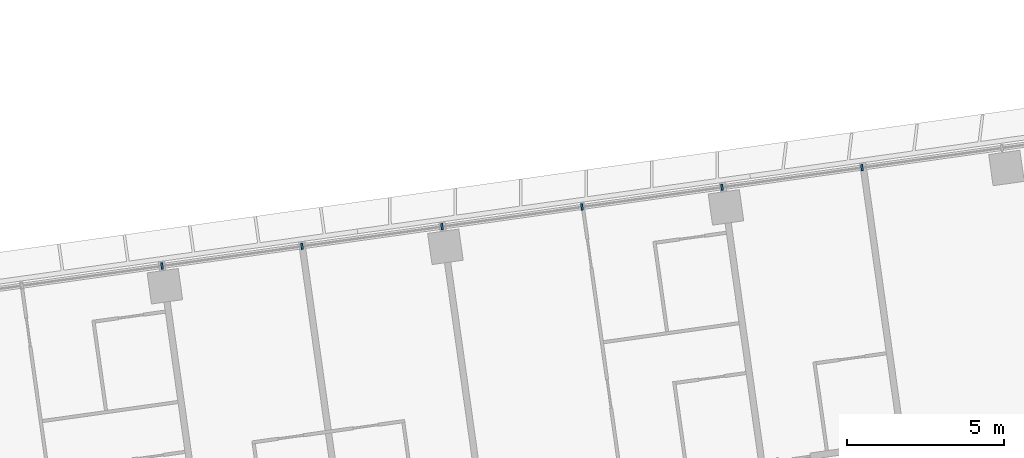
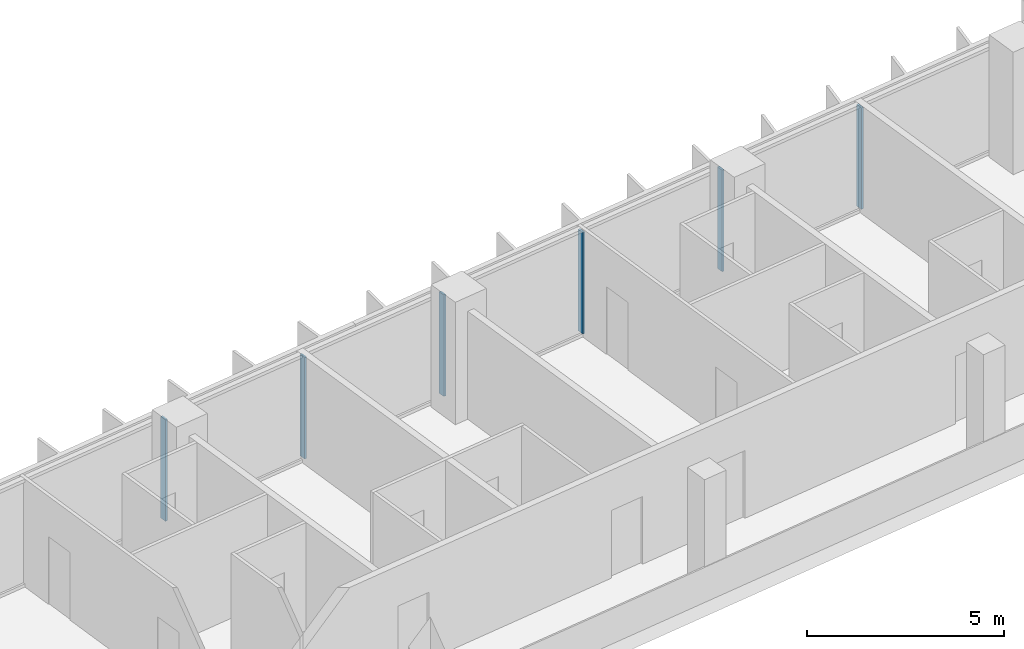
# One storey, part 10 of 25: 6 members, 1 element without a shape of its own.
"""IFC4 building model written with IfcOpenShell, lengths in metres."""

from ifc_helpers import new_model, si_unit, direction, frame, origin, origin_2d, place, context, subcontext, project, spatial, rectangle, extrude, material, material_profile, profile_set, type_object, element, aggregate, save


model = new_model("IFC4")

# Units and contexts
model_context = context("Model", 3, precision=1e-05, world=origin(), true_north=direction((0.0, 1.0)))
body_context = subcontext(model_context, "Body", "Model", "MODEL_VIEW")
ifc_project = project(units=[si_unit("LENGTHUNIT", "METRE"), si_unit("AREAUNIT", "SQUARE_METRE"), si_unit("VOLUMEUNIT", "CUBIC_METRE"), si_unit("PLANEANGLEUNIT", "RADIAN"), si_unit("MASSUNIT", "GRAM", prefix="KILO")], contexts=[model_context])

# Site, building, storey
site_placement = place(None, origin())
site = spatial("IfcSite", under=ifc_project, at=site_placement, CompositionType="ELEMENT")
building_placement = place(site_placement, origin())
building = spatial("IfcBuilding", under=site, at=building_placement, Name="Mirante Cascada Hotel Towers", CompositionType="ELEMENT")
storey_placement = place(building_placement, frame((0.0, 0.0, 62.3)))
storey = spatial("IfcBuildingStorey", under=building, at=storey_placement, Name="L12", CompositionType="ELEMENT", Elevation=62.3)

# Curtain wall, members
ifc_material_1 = material(Name="Aluminium mullion and transom frame with clear laminated glass", Category="aluminium")
curtain_wall_type = type_object("IfcCurtainWallType", Name="Ribbon curtain wall ECW1", PredefinedType="NOTDEFINED", material=ifc_material_1)
curtain_wall_placement = place(storey_placement, origin())
curtain_wall = element("IfcCurtainWall", 1, at=curtain_wall_placement, inside=storey, type_object=curtain_wall_type, Name="Front ribbon wall T2 L12", PredefinedType="NOTDEFINED")
ifc_material_2 = material(Name="Anodised aluminium extrusion", Category="aluminium")
ifc_material_profile = material_profile(ifc_material_2, rectangle(XDim=0.2, YDim=0.065, at=origin_2d()), Name="ECW1 MULLION 65x200")
ifc_profile_set = profile_set([ifc_material_profile], Name="Anodised aluminium extrusion")
member_type = type_object("IfcMemberType", Name="ECW1 mullion 65x200", PredefinedType="MULLION", material=ifc_profile_set)
member_1_placement = place(storey_placement, frame((85.2633, 24.802, 0.1), z_axis=(0.0, 0.0, 1.0), x_axis=(0.1391731, -0.9902681, 0.0)))
member_1 = element("IfcMember", 2, at=member_1_placement, type_object=member_type, Name="ECW1 mullion 3", PredefinedType="MULLION", context=body_context, shape_type="SweptSolid", body=[
    extrude(rectangle(XDim=0.2, YDim=0.065, at=origin_2d()), origin(), (0.0, 0.0, 1.0), 3.15),
])
member_2_placement = place(storey_placement, frame((80.8159, 24.177, 0.1), z_axis=(0.0, 0.0, 1.0), x_axis=(0.1391731, -0.9902681, 0.0)))
member_2 = element("IfcMember", 3, at=member_2_placement, type_object=member_type, Name="ECW1 mullion 4", PredefinedType="MULLION", context=body_context, shape_type="SweptSolid", body=[
    extrude(rectangle(XDim=0.2, YDim=0.065, at=origin_2d()), origin(), (0.0, 0.0, 1.0), 3.15),
])
member_3_placement = place(storey_placement, frame((76.3685, 23.5519, 0.1), z_axis=(0.0, 0.0, 1.0), x_axis=(0.1391731, -0.9902681, 0.0)))
member_3 = element("IfcMember", 4, at=member_3_placement, type_object=member_type, Name="ECW1 mullion 5", PredefinedType="MULLION", context=body_context, shape_type="SweptSolid", body=[
    extrude(rectangle(XDim=0.2, YDim=0.065, at=origin_2d()), origin(), (0.0, 0.0, 1.0), 3.15),
])
member_4_placement = place(storey_placement, frame((71.9211, 22.9269, 0.1), z_axis=(0.0, 0.0, 1.0), x_axis=(0.1391731, -0.9902681, 0.0)))
member_4 = element("IfcMember", 5, at=member_4_placement, type_object=member_type, Name="ECW1 mullion 6", PredefinedType="MULLION", context=body_context, shape_type="SweptSolid", body=[
    extrude(rectangle(XDim=0.2, YDim=0.065, at=origin_2d()), origin(), (0.0, 0.0, 1.0), 3.15),
])
member_5_placement = place(storey_placement, frame((67.4737, 22.3018, 0.1), z_axis=(0.0, 0.0, 1.0), x_axis=(0.1391731, -0.9902681, 0.0)))
member_5 = element("IfcMember", 6, at=member_5_placement, type_object=member_type, Name="ECW1 mullion 7", PredefinedType="MULLION", context=body_context, shape_type="SweptSolid", body=[
    extrude(rectangle(XDim=0.2, YDim=0.065, at=origin_2d()), origin(), (0.0, 0.0, 1.0), 3.15),
])
member_6_placement = place(storey_placement, frame((63.0262, 21.6768, 0.1), z_axis=(0.0, 0.0, 1.0), x_axis=(0.1391731, -0.9902681, 0.0)))
member_6 = element("IfcMember", 7, at=member_6_placement, type_object=member_type, Name="ECW1 mullion 8", PredefinedType="MULLION", context=body_context, shape_type="SweptSolid", body=[
    extrude(rectangle(XDim=0.2, YDim=0.065, at=origin_2d()), origin(), (0.0, 0.0, 1.0), 3.15),
])
aggregate(curtain_wall, [member_1, member_2, member_3, member_4, member_5, member_6])

save(model, "model.ifc")
